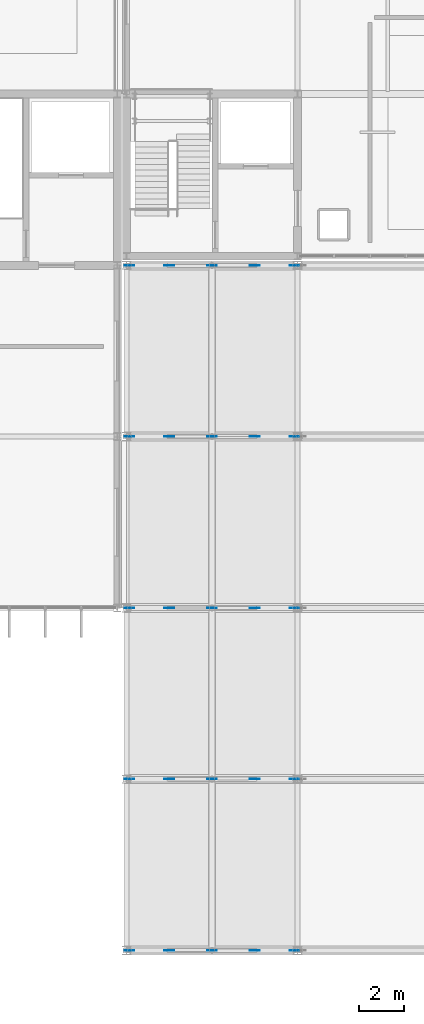
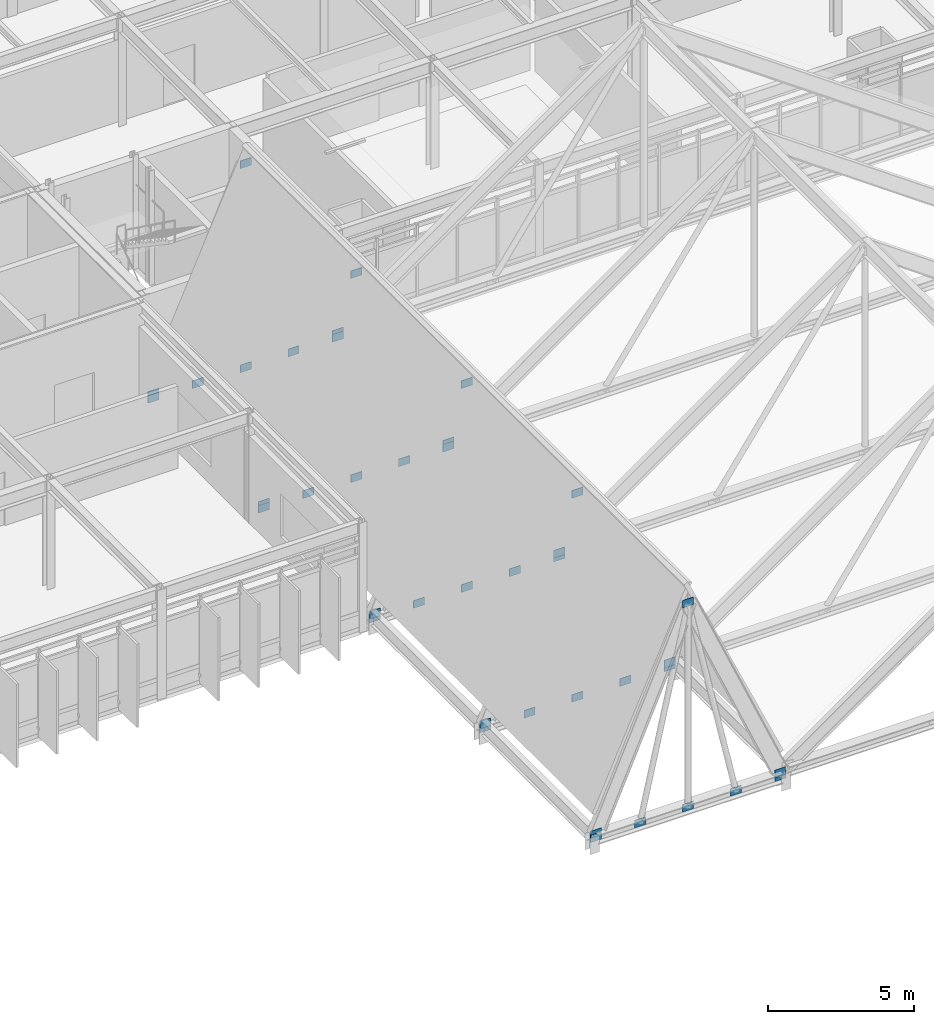
# One storey, part 77 of 100: 40 plates.
"""IFC4 building model written with IfcOpenShell, lengths in metres."""

from ifc_helpers import new_model, si_unit, direction, frame, origin, origin_2d, place, context, subcontext, project, spatial, rectangle, extrude, material, layer, layer_set, type_object, element, save


model = new_model("IFC4")

# Units and contexts
model_context = context("Model", 3, precision=1e-05, world=origin(), true_north=direction((0.0, 1.0)))
body_context = subcontext(model_context, "Body", "Model", "MODEL_VIEW")
ifc_project = project(units=[si_unit("LENGTHUNIT", "METRE"), si_unit("AREAUNIT", "SQUARE_METRE"), si_unit("VOLUMEUNIT", "CUBIC_METRE"), si_unit("PLANEANGLEUNIT", "RADIAN"), si_unit("MASSUNIT", "GRAM", prefix="KILO")], contexts=[model_context])

# Site, building, storey
site_placement = place(None, origin())
site = spatial("IfcSite", under=ifc_project, at=site_placement, CompositionType="ELEMENT")
building_placement = place(site_placement, origin())
building = spatial("IfcBuilding", under=site, at=building_placement, Name="Zulena Civic Courthouse", CompositionType="ELEMENT")
storey_placement = place(building_placement, frame((0.0, 0.0, 20.39990234375)))
storey = spatial("IfcBuildingStorey", under=building, at=storey_placement, Name="L04", CompositionType="ELEMENT", Elevation=20.39990234375)

# Plates
ifc_material = material(Name="Steel ASTM A572 Grade 50", Category="steel")
ifc_layer = layer(ifc_material, 0.02490234375)
ifc_layer_set = layer_set([ifc_layer], Name="Steel ASTM A572 Grade 50")
plate_type = type_object("IfcPlateType", Name="GussetPlate_440x320x25", PredefinedType="SHEET", material=ifc_layer_set)
for number, where, z_axis, x_axis, name in (
    (1, (124.5400390625, 0.0, 0.16552734375), (0.0, 0.0, 1.0), (1.0, 0.0, 0.0), "plate:fd:postW:05:0.0:0"),
    (2, (124.5400390625, 0.0, 0.32568359375), (0.0, 0.0, 1.0), (1.0, 0.0, 0.0), "plate:fd:postW:05:0.0:1"),
    (3, (131.860107421875, 0.0, 0.16552734375), (0.0, 0.0, 1.0), (1.0, 0.0, 0.0), "plate:fd:postE:05:0.0:0"),
    (4, (131.860107421875, 0.0, 0.32568359375), (0.0, 0.0, 1.0), (1.0, 0.0, 0.0), "plate:fd:postE:05:0.0:1"),
    (5, (128.199951171875, 0.0, 0.16552734375), (0.0, 0.0, 1.0), (1.0, 0.0, 0.0), "plate:fd:king:05:0.0:0"),
    (6, (128.199951171875, 0.0, 8.7255859375), (0.0, 0.0, 1.0), (1.0, 0.0, 0.0), "plate:fd:king:05:0.0:1"),
    (7, (126.300048828125, 0.0, 0.16552734375), (0.0, 0.0, 1.0), (1.0, 0.0, 0.0), "plate:fd:diagW:05:0.0:0"),
    (8, (130.10009765625, 0.0, 0.16552734375), (0.0, 0.0, 1.0), (1.0, 0.0, 0.0), "plate:fd:diagE:05:0.0:0"),
    (9, (124.5400390625, 7.60009765625, 0.16552734375), (0.0, 0.0, 1.0), (1.0, 0.0, 0.0), "plate:fd:postW:05:7.6:0"),
    (10, (124.5400390625, 7.60009765625, 0.32568359375), (0.0, 0.0, 1.0), (1.0, 0.0, 0.0), "plate:fd:postW:05:7.6:1"),
    (11, (131.860107421875, 7.60009765625, 0.16552734375), (0.0, 0.0, 1.0), (1.0, 0.0, 0.0), "plate:fd:postE:05:7.6:0"),
    (12, (131.860107421875, 7.60009765625, 0.32568359375), (0.0, 0.0, 1.0), (1.0, 0.0, 0.0), "plate:fd:postE:05:7.6:1"),
    (13, (128.199951171875, 7.60009765625, 0.16552734375), (0.0, 0.0, 1.0), (1.0, 0.0, 0.0), "plate:fd:king:05:7.6:0"),
    (14, (128.199951171875, 7.60009765625, 8.7255859375), (0.0, 0.0, 1.0), (1.0, 0.0, 0.0), "plate:fd:king:05:7.6:1"),
    (15, (126.300048828125, 7.60009765625, 0.16552734375), (0.0, 0.0, 1.0), (1.0, 0.0, 0.0), "plate:fd:diagW:05:7.6:0"),
    (16, (130.10009765625, 7.60009765625, 0.16552734375), (0.0, 0.0, 1.0), (1.0, 0.0, 0.0), "plate:fd:diagE:05:7.6:0"),
    (17, (124.5400390625, 15.199951171875, 0.16552734375), (0.0, 0.0, 1.0), (1.0, 0.0, 0.0), "plate:fd:postW:05:15.2:0"),
    (18, (124.5400390625, 15.199951171875, 0.32568359375), (0.0, 0.0, 1.0), (1.0, 0.0, 0.0), "plate:fd:postW:05:15.2:1"),
    (19, (131.860107421875, 15.199951171875, 0.16552734375), (0.0, 0.0, 1.0), (1.0, 0.0, 0.0), "plate:fd:postE:05:15.2:0"),
    (20, (131.860107421875, 15.199951171875, 0.32568359375), (0.0, 0.0, 1.0), (1.0, 0.0, 0.0), "plate:fd:postE:05:15.2:1"),
    (21, (128.199951171875, 15.199951171875, 0.16552734375), (0.0, 0.0, 1.0), (1.0, 0.0, 0.0), "plate:fd:king:05:15.2:0"),
    (22, (128.199951171875, 15.199951171875, 8.7255859375), (0.0, 0.0, 1.0), (1.0, 0.0, 0.0), "plate:fd:king:05:15.2:1"),
    (23, (126.300048828125, 15.199951171875, 0.16552734375), (0.0, 0.0, 1.0), (1.0, 0.0, 0.0), "plate:fd:diagW:05:15.2:0"),
    (24, (130.10009765625, 15.199951171875, 0.16552734375), (0.0, 0.0, 1.0), (1.0, 0.0, 0.0), "plate:fd:diagE:05:15.2:0"),
    (25, (124.5400390625, 22.800048828125, 0.16552734375), (0.0, 0.0, 1.0), (1.0, 0.0, 0.0), "plate:fd:postW:05:22.8:0"),
    (26, (124.5400390625, 22.800048828125, 0.32568359375), (0.0, 0.0, 1.0), (1.0, 0.0, 0.0), "plate:fd:postW:05:22.8:1"),
    (27, (131.860107421875, 22.800048828125, 0.16552734375), (0.0, 0.0, 1.0), (1.0, 0.0, 0.0), "plate:fd:postE:05:22.8:0"),
    (28, (131.860107421875, 22.800048828125, 0.32568359375), (0.0, 0.0, 1.0), (1.0, 0.0, 0.0), "plate:fd:postE:05:22.8:1"),
    (29, (128.199951171875, 22.800048828125, 0.16552734375), (0.0, 0.0, 1.0), (1.0, 0.0, 0.0), "plate:fd:king:05:22.8:0"),
    (30, (128.199951171875, 22.800048828125, 8.7255859375), (0.0, 0.0, 1.0), (1.0, 0.0, 0.0), "plate:fd:king:05:22.8:1"),
    (31, (126.300048828125, 22.800048828125, 0.16552734375), (0.0, 0.0, 1.0), (1.0, 0.0, 0.0), "plate:fd:diagW:05:22.8:0"),
    (32, (130.10009765625, 22.800048828125, 0.16552734375), (0.0, 0.0, 1.0), (1.0, 0.0, 0.0), "plate:fd:diagE:05:22.8:0"),
    (33, (124.5400390625, 30.39990234375, 0.16552734375), (0.0, 0.0, 1.0), (1.0, 0.0, 0.0), "plate:fd:postW:05:30.4:0"),
    (34, (124.5400390625, 30.39990234375, 0.32568359375), (0.0, 0.0, 1.0), (1.0, 0.0, 0.0), "plate:fd:postW:05:30.4:1"),
    (35, (131.860107421875, 30.39990234375, 0.16552734375), (0.0, 0.0, 1.0), (1.0, 0.0, 0.0), "plate:fd:postE:05:30.4:0"),
    (36, (131.860107421875, 30.39990234375, 0.32568359375), (0.0, 0.0, 1.0), (1.0, 0.0, 0.0), "plate:fd:postE:05:30.4:1"),
    (37, (128.199951171875, 30.39990234375, 0.16552734375), (0.0, 0.0, 1.0), (1.0, 0.0, 0.0), "plate:fd:king:05:30.4:0"),
    (38, (128.199951171875, 30.39990234375, 8.7255859375), (0.0, 0.0, 1.0), (1.0, 0.0, 0.0), "plate:fd:king:05:30.4:1"),
    (39, (126.300048828125, 30.39990234375, 0.16552734375), (0.0, 0.0, 1.0), (1.0, 0.0, 0.0), "plate:fd:diagW:05:30.4:0"),
    (40, (130.10009765625, 30.39990234375, 0.16552734375), (0.0, 0.0, 1.0), (1.0, 0.0, 0.0), "plate:fd:diagE:05:30.4:0"),
):
    element("IfcPlate", number, at=place(storey_placement, frame(where, z_axis=z_axis, x_axis=x_axis)), inside=storey, type_object=plate_type, Name=name, PredefinedType="SHEET", context=body_context, shape_type="SweptSolid", body=[
        extrude(rectangle(XDim=0.43994140625, YDim=0.02490234375, at=origin_2d()), origin(), (0.0, 0.0, 1.0), 0.320068359375),
    ])

save(model, "model.ifc")
